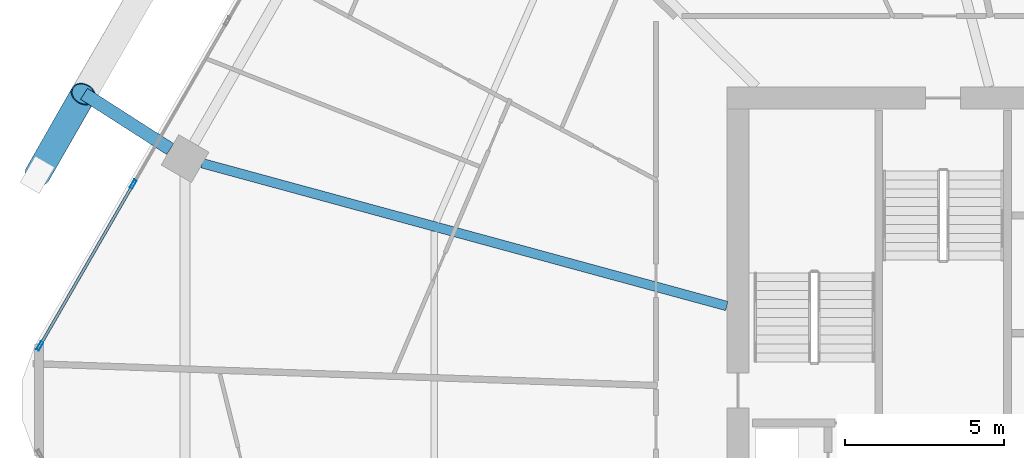
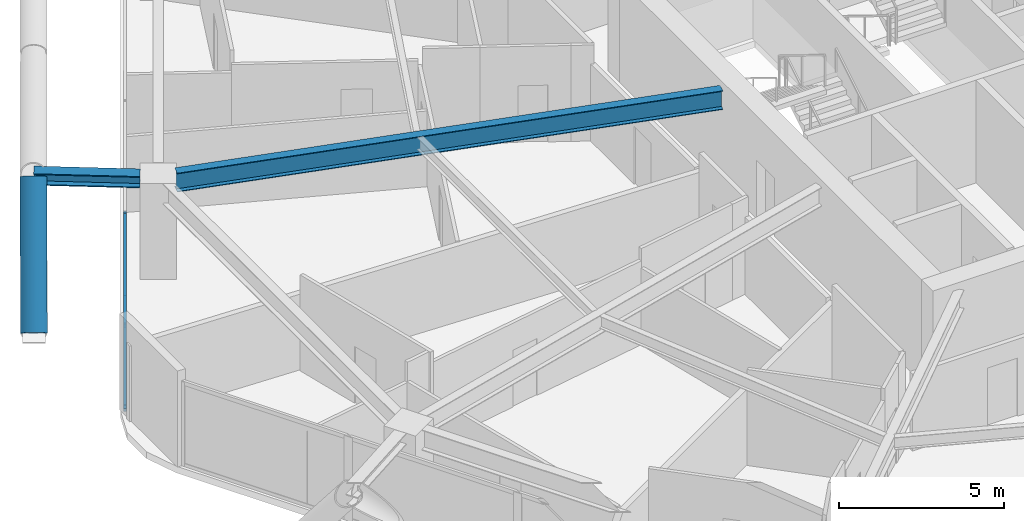
# One storey, part 15 of 35: 5 members, 2 beams, 1 element without a shape of its own.
"""IFC4 building model written with IfcOpenShell, lengths in metres."""

from ifc_helpers import new_model, si_unit, direction, frame, origin, origin_2d, place, context, subcontext, project, spatial, hollow_rectangle, hollow_circle, i_section, extrude, material, material_profile, profile_set, type_object, element, aggregate, save


model = new_model("IFC4")

# Units and contexts
model_context = context("Model", 3, precision=1e-05, world=origin(), true_north=direction((0.0, 1.0)))
body_context = subcontext(model_context, "Body", "Model", "MODEL_VIEW")
ifc_project = project(units=[si_unit("LENGTHUNIT", "METRE"), si_unit("AREAUNIT", "SQUARE_METRE"), si_unit("VOLUMEUNIT", "CUBIC_METRE"), si_unit("PLANEANGLEUNIT", "RADIAN"), si_unit("MASSUNIT", "GRAM", prefix="KILO")], contexts=[model_context])

# Site, building, storey
site_placement = place(None, origin())
site = spatial("IfcSite", under=ifc_project, at=site_placement, CompositionType="ELEMENT")
building_placement = place(site_placement, origin())
building = spatial("IfcBuilding", under=site, at=building_placement, Name="Zuhravey Tower", CompositionType="ELEMENT")
storey_placement = place(building_placement, frame((0.0, 0.0, 138.0)))
storey = spatial("IfcBuildingStorey", under=building, at=storey_placement, Name="L34", CompositionType="ELEMENT", Elevation=138.0)

# Curtain wall, members
ifc_material_1 = material(Name="Thermally broken anodised aluminium", Category="aluminium")
curtain_wall_type = type_object("IfcCurtainWallType", Name="Zone 1-2 Residential Curtain Wall CW3", PredefinedType="NOTDEFINED", material=ifc_material_1)
curtain_wall_placement = place(storey_placement, origin())
curtain_wall = element("IfcCurtainWall", 1, at=curtain_wall_placement, inside=storey, type_object=curtain_wall_type, Name="L34 CW3 CW-L34-F3-1", PredefinedType="NOTDEFINED")
ifc_material_2 = material(Name="Anodised aluminium", Category="aluminium")
ifc_material_profile_1 = material_profile(ifc_material_2, hollow_rectangle(XDim=0.090087890625, YDim=0.284912109375, WallThickness=0.0048828125, at=origin_2d()), Name="ALU-RHS-90x285x5")
ifc_profile_set_1 = profile_set([ifc_material_profile_1], Name="Anodised aluminium")
member_type_1 = type_object("IfcMemberType", Name="Curtain-Wall Mullion 90x180", PredefinedType="MULLION", material=ifc_profile_set_1)
member_1_placement = place(storey_placement, frame((3.5439453125, 33.701416015625, 0.0), z_axis=(0.0, 0.0, 1.0), x_axis=(-0.86602552265, 0.499999794119, 0.0)))
member_1 = element("IfcMember", 2, at=member_1_placement, type_object=member_type_1, Name="CW3 mullion 1", PredefinedType="MULLION", context=body_context, shape_type="SweptSolid", body=[
    extrude(hollow_rectangle(XDim=0.090087890625, YDim=0.284912109375, WallThickness=0.0048828125, at=origin_2d()), origin(), (0.0, 0.0, 1.0), 3.1220703125),
])
member_2_placement = place(storey_placement, frame((6.4814453125, 38.789306640625, 0.0), z_axis=(0.0, 0.0, 1.0), x_axis=(-0.86602552265, 0.499999794119, 0.0)))
member_2 = element("IfcMember", 3, at=member_2_placement, type_object=member_type_1, Name="CW3 mullion 2", PredefinedType="MULLION", context=body_context, shape_type="SweptSolid", body=[
    extrude(hollow_rectangle(XDim=0.090087890625, YDim=0.284912109375, WallThickness=0.0048828125, at=origin_2d()), origin(), (0.0, 0.0, 1.0), 3.1220703125),
])
ifc_material_profile_2 = material_profile(ifc_material_2, hollow_rectangle(XDim=0.090087890625, YDim=0.14990234375, WallThickness=0.0048828125, at=origin_2d()), Name="ALU-RHS-90x150x5")
ifc_profile_set_2 = profile_set([ifc_material_profile_2], Name="Anodised aluminium")
member_type_2 = type_object("IfcMemberType", Name="Curtain-Wall Transom 90x150", PredefinedType="USERDEFINED", material=ifc_profile_set_2)
member_3_placement = place(storey_placement, frame((3.56640625, 33.740478515625, 0.044921875), z_axis=(0.500024450573, 0.866011286779, 0.0), x_axis=(-0.866011286779, 0.500024450573, 0.0)))
member_3 = element("IfcMember", 4, at=member_3_placement, type_object=member_type_2, Name="CW3 transom 1.1", ObjectType="TRANSOM", PredefinedType="USERDEFINED", context=body_context, shape_type="SweptSolid", body=[
    extrude(hollow_rectangle(XDim=0.090087890625, YDim=0.14990234375, WallThickness=0.0048828125, at=origin_2d()), origin(), (0.0, 0.0, 1.0), 5.784912109375),
])
member_4_placement = place(storey_placement, frame((3.56640625, 33.740478515625, 3.076904296875), z_axis=(0.500024450573, 0.866011286779, 0.0), x_axis=(-0.866011286779, 0.500024450573, 0.0)))
member_4 = element("IfcMember", 5, at=member_4_placement, type_object=member_type_2, Name="CW3 transom 1.2", ObjectType="TRANSOM", PredefinedType="USERDEFINED", context=body_context, shape_type="SweptSolid", body=[
    extrude(hollow_rectangle(XDim=0.090087890625, YDim=0.14990234375, WallThickness=0.0048828125, at=origin_2d()), origin(), (0.0, 0.0, 1.0), 5.784912109375),
])
aggregate(curtain_wall, [member_1, member_2, member_3, member_4])

# Beam
ifc_material_3 = material(Name="Steel SM460", Category="steel")
ifc_material_profile_3 = material_profile(ifc_material_3, i_section(OverallWidth=0.406982421875, OverallDepth=0.427978515625, WebThickness=0.02001953125, FlangeThickness=0.034912109375, at=origin_2d()), Name="H-428x407x20x35")
ifc_profile_set_3 = profile_set([ifc_material_profile_3], Name="Steel SM460")
beam_type_1 = type_object("IfcBeamType", Name="Exoskeleton Node Tie Beam H428x407", PredefinedType="BEAM", material=ifc_profile_set_3)
beam_1_placement = place(storey_placement, frame((7.64404296875, 39.890869140625, 3.3359375), z_axis=(-0.841811109623, 0.539772225772, 0.0), x_axis=(-0.539772225772, -0.841811109623, 0.0)))
element("IfcBeam", 6, at=beam_1_placement, inside=storey, type_object=beam_type_1, Name="L34 Exoskeleton Node Tie NT1-06", PredefinedType="BEAM", context=body_context, shape_type="SweptSolid", body=[
    extrude(i_section(OverallWidth=0.406982421875, OverallDepth=0.427978515625, WebThickness=0.02001953125, FlangeThickness=0.034912109375, at=origin_2d()), origin(), (0.0, 0.0, 1.0), 3.219482421875),
])

# Member
ifc_material_profile_4 = material_profile(ifc_material_3, hollow_circle(Radius=0.406494140625, WallThickness=0.035888671875, at=origin_2d()), Name="CHS-812.8x36")
ifc_profile_set_4 = profile_set([ifc_material_profile_4], Name="Steel SM460")
member_type_3 = type_object("IfcMemberType", Name="Exoskeleton Zone 1 Diagrid CHS813x36", PredefinedType="BRACE", material=ifc_profile_set_4)
member_5_placement = place(storey_placement, frame((3.470947265625, 39.09521484375, -0.44189453125), z_axis=(0.303464323846, 0.531846280691, 0.790600365461), x_axis=(-0.868558015212, 0.49558750409, 0.0)))
element("IfcMember", 7, at=member_5_placement, inside=storey, type_object=member_type_3, Name="L34 Face 3 Diagrid Brace 4", PredefinedType="BRACE", context=body_context, shape_type="SweptSolid", body=[
    extrude(hollow_circle(Radius=0.406494140625, WallThickness=0.035888671875, at=origin_2d()), origin(), (0.0, 0.0, 1.0), 4.750732421875),
])

# Beam
ifc_material_4 = material(Name="Steel SM355", Category="steel")
ifc_material_profile_5 = material_profile(ifc_material_4, i_section(OverallWidth=0.300048828125, OverallDepth=0.699951171875, WebThickness=0.012939453125, FlangeThickness=0.02392578125, at=origin_2d()), Name="H-700x300x13x24")
ifc_profile_set_5 = profile_set([ifc_material_profile_5], Name="Steel SM355")
beam_type_2 = type_object("IfcBeamType", Name="Radial Primary Girder H700x300", PredefinedType="BEAM", material=ifc_profile_set_5)
beam_2_placement = place(storey_placement, frame((25.14697265625, 34.954345703125, 3.199951171875), z_axis=(-0.964893166225, 0.262642680791, 0.0), x_axis=(-0.262642680791, -0.964893166225, 0.0)))
element("IfcBeam", 8, at=beam_2_placement, inside=storey, type_object=beam_type_2, Name="L34 RG1 BM-L34-RAD-06", PredefinedType="BEAM", context=body_context, shape_type="SweptSolid", body=[
    extrude(i_section(OverallWidth=0.300048828125, OverallDepth=0.699951171875, WebThickness=0.012939453125, FlangeThickness=0.02392578125, at=origin_2d()), origin(), (0.0, 0.0, 1.0), 17.102783203125),
])

save(model, "model.ifc")
